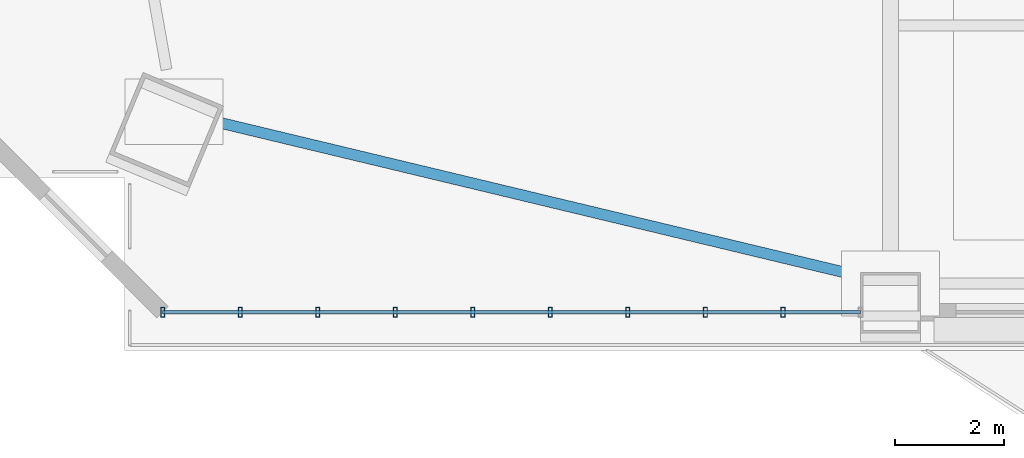
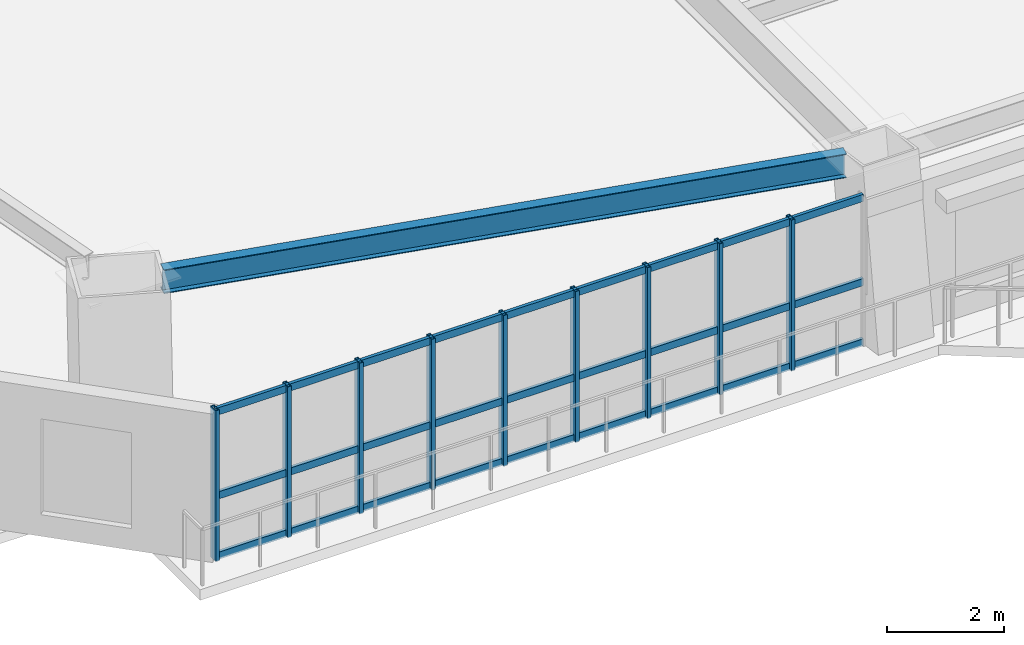
# One storey, part 2 of 17: 12 members, 1 beam, 1 element without a shape of its own.
"""IFC4 building model written with IfcOpenShell, lengths in metres."""

from ifc_helpers import new_model, si_unit, direction, frame, origin, origin_2d, place, context, subcontext, project, spatial, hollow_rectangle, i_section, extrude, source, transform, mapped, material, layer, layer_set, material_profile, profile_set, type_object, element, aggregate, save


model = new_model("IFC4")

# Units and contexts
model_context = context("Model", 3, precision=1e-05, world=origin(), true_north=direction((0.0, 1.0)))
body_context = subcontext(model_context, "Body", "Model", "MODEL_VIEW")
ifc_project = project(units=[si_unit("LENGTHUNIT", "METRE"), si_unit("AREAUNIT", "SQUARE_METRE"), si_unit("VOLUMEUNIT", "CUBIC_METRE"), si_unit("PLANEANGLEUNIT", "RADIAN"), si_unit("MASSUNIT", "GRAM", prefix="KILO")], contexts=[model_context])

# Site, building, storey
site_placement = place(None, origin())
site = spatial("IfcSite", under=ifc_project, at=site_placement, CompositionType="ELEMENT")
building_placement = place(site_placement, origin())
building = spatial("IfcBuilding", under=site, at=building_placement, Name="Giltprow Tower", CompositionType="ELEMENT")
storey_placement = place(building_placement, frame((0.0, 0.0, 44.89990234375)))
storey = spatial("IfcBuildingStorey", under=building, at=storey_placement, Name="L11", CompositionType="ELEMENT", Elevation=44.89990234375)

# Beam
ifc_material_1 = material(Name="Structural steel Q355B", Category="steel")
ifc_material_profile_1 = material_profile(ifc_material_1, i_section(OverallWidth=0.199951171875, OverallDepth=0.5, WebThickness=0.010009765625, FlangeThickness=0.01611328125, at=origin_2d()), Name="HN 500x200x10x16")
ifc_profile_set_1 = profile_set([ifc_material_profile_1], Name="Structural steel Q355B")
beam_type = type_object("IfcBeamType", Name="BM-SPAN-HN500", PredefinedType="SPANDREL", material=ifc_profile_set_1)
shared_shape_1 = source(origin(), body_context, "Body", "SweptSolid", [
    extrude(i_section(OverallWidth=0.199951171875, OverallDepth=0.5, WebThickness=0.010009765625, FlangeThickness=0.01611328125, at=origin_2d()), origin(), (0.0, 0.0, 1.0), 12.184814453125),
])
beam_placement = place(storey_placement, frame((7.48095703125, 7.319091796875, 3.3701171875), z_axis=(0.972456190307, -0.233085730866, 0.0), x_axis=(0.233085730866, 0.972456190307, 0.0)))
element("IfcBeam", 1, at=beam_placement, inside=storey, type_object=beam_type, Name="L11 Perimeter Spandrel Beam MC_SW-S1", PredefinedType="SPANDREL", context=body_context, shape_type="MappedRepresentation", body=[
    mapped(shared_shape_1, transform((0.0, 0.0, 0.0), x_axis=(1.0, 0.0, 0.0), y_axis=(0.0, 1.0, 0.0), z_axis=(0.0, 0.0, 1.0), scale=1.0)),
])

# Curtain wall, members
ifc_material_2 = material(Name="Anodized bronze", Category="metal")
ifc_layer = layer(ifc_material_2, 0.179931640625, Name="Anodized bronze")
ifc_layer_set = layer_set([ifc_layer], Name="Anodized bronze")
curtain_wall_type = type_object("IfcCurtainWallType", Name="CW-OFF-RECESSED", PredefinedType="NOTDEFINED", material=ifc_layer_set)
curtain_wall_placement = place(storey_placement, origin())
curtain_wall = element("IfcCurtainWall", 2, at=curtain_wall_placement, inside=storey, type_object=curtain_wall_type, Name="L11 South Recessed Curtain Wall 1", PredefinedType="NOTDEFINED")
ifc_material_profile_2 = material_profile(ifc_material_2, hollow_rectangle(XDim=0.06494140625, YDim=0.14990234375, WallThickness=0.006103515625, at=origin_2d()), Name="RHS 150x65x6")
ifc_profile_set_2 = profile_set([ifc_material_profile_2], Name="Anodized bronze")
member_type_1 = type_object("IfcMemberType", Name="CW-TRANSOM-150x65", PredefinedType="USERDEFINED", material=ifc_profile_set_2)
shared_shape_2 = source(origin(), body_context, "Body", "SweptSolid", [
    extrude(hollow_rectangle(XDim=0.06494140625, YDim=0.14990234375, WallThickness=0.006103515625, at=origin_2d()), origin(), (0.0, 0.0, 1.0), 12.791015625),
])
member_1_placement = place(storey_placement, frame((6.509033203125, 3.826904296875, 0.0400390625), z_axis=(1.0, 0.0, 0.0), x_axis=(0.0, 1.0, 0.0)))
member_1 = element("IfcMember", 3, at=member_1_placement, type_object=member_type_1, Name="L11 South Recessed Curtain Wall 1 Transom 1", ObjectType="TRANSOM", PredefinedType="USERDEFINED", context=body_context, shape_type="MappedRepresentation", body=[
    mapped(shared_shape_2, transform((0.0, 0.0, 0.0), x_axis=(1.0, 0.0, 0.0), y_axis=(0.0, 1.0, 0.0), z_axis=(0.0, 0.0, 1.0), scale=1.0)),
])
member_2_placement = place(storey_placement, frame((6.509033203125, 3.826904296875, 1.302001953125), z_axis=(1.0, 0.0, 0.0), x_axis=(0.0, 1.0, 0.0)))
member_2 = element("IfcMember", 4, at=member_2_placement, type_object=member_type_1, Name="L11 South Recessed Curtain Wall 1 Transom 2", ObjectType="TRANSOM", PredefinedType="USERDEFINED", context=body_context, shape_type="MappedRepresentation", body=[
    mapped(shared_shape_2, transform((0.0, 0.0, 0.0), x_axis=(1.0, 0.0, 0.0), y_axis=(0.0, 1.0, 0.0), z_axis=(0.0, 0.0, 1.0), scale=1.0)),
])
member_3_placement = place(storey_placement, frame((6.509033203125, 3.826904296875, 3.06005859375), z_axis=(1.0, 0.0, 0.0), x_axis=(0.0, 1.0, 0.0)))
member_3 = element("IfcMember", 5, at=member_3_placement, type_object=member_type_1, Name="L11 South Recessed Curtain Wall 1 Transom 3", ObjectType="TRANSOM", PredefinedType="USERDEFINED", context=body_context, shape_type="MappedRepresentation", body=[
    mapped(shared_shape_2, transform((0.0, 0.0, 0.0), x_axis=(1.0, 0.0, 0.0), y_axis=(0.0, 1.0, 0.0), z_axis=(0.0, 0.0, 1.0), scale=1.0)),
])
ifc_material_profile_3 = material_profile(ifc_material_2, hollow_rectangle(XDim=0.074951171875, YDim=0.179931640625, WallThickness=0.008056640625, at=origin_2d()), Name="RHS 180x75x8")
ifc_profile_set_3 = profile_set([ifc_material_profile_3], Name="Anodized bronze")
member_type_2 = type_object("IfcMemberType", Name="CW-MULLION-180x75", PredefinedType="MULLION", material=ifc_profile_set_3)
shared_shape_3 = source(origin(), body_context, "Body", "SweptSolid", [
    extrude(hollow_rectangle(XDim=0.074951171875, YDim=0.179931640625, WallThickness=0.008056640625, at=origin_2d()), origin(), (0.0, 0.0, 1.0), 3.155029296875),
])
member_4_placement = place(storey_placement, frame((6.509033203125, 3.826904296875, -0.02001953125), z_axis=(0.0, 0.0, 1.0), x_axis=(1.0, 0.0, 0.0)))
member_4 = element("IfcMember", 6, at=member_4_placement, type_object=member_type_2, Name="L11 South Recessed Curtain Wall 1 Mullion 1", PredefinedType="MULLION", context=body_context, shape_type="MappedRepresentation", body=[
    mapped(shared_shape_3, transform((0.0, 0.0, 0.0), x_axis=(1.0, 0.0, 0.0), y_axis=(0.0, 1.0, 0.0), z_axis=(0.0, 0.0, 1.0), scale=1.0)),
])
member_5_placement = place(storey_placement, frame((7.929931640625, 3.826904296875, -0.02001953125), z_axis=(0.0, 0.0, 1.0), x_axis=(1.0, 0.0, 0.0)))
member_5 = element("IfcMember", 7, at=member_5_placement, type_object=member_type_2, Name="L11 South Recessed Curtain Wall 1 Mullion 2", PredefinedType="MULLION", context=body_context, shape_type="MappedRepresentation", body=[
    mapped(shared_shape_3, transform((0.0, 0.0, 0.0), x_axis=(1.0, 0.0, 0.0), y_axis=(0.0, 1.0, 0.0), z_axis=(0.0, 0.0, 1.0), scale=1.0)),
])
member_6_placement = place(storey_placement, frame((9.35107421875, 3.826904296875, -0.02001953125), z_axis=(0.0, 0.0, 1.0), x_axis=(1.0, 0.0, 0.0)))
member_6 = element("IfcMember", 8, at=member_6_placement, type_object=member_type_2, Name="L11 South Recessed Curtain Wall 1 Mullion 3", PredefinedType="MULLION", context=body_context, shape_type="MappedRepresentation", body=[
    mapped(shared_shape_3, transform((0.0, 0.0, 0.0), x_axis=(1.0, 0.0, 0.0), y_axis=(0.0, 1.0, 0.0), z_axis=(0.0, 0.0, 1.0), scale=1.0)),
])
member_7_placement = place(storey_placement, frame((10.77294921875, 3.826904296875, -0.02001953125), z_axis=(0.0, 0.0, 1.0), x_axis=(1.0, 0.0, 0.0)))
member_7 = element("IfcMember", 9, at=member_7_placement, type_object=member_type_2, Name="L11 South Recessed Curtain Wall 1 Mullion 4", PredefinedType="MULLION", context=body_context, shape_type="MappedRepresentation", body=[
    mapped(shared_shape_3, transform((0.0, 0.0, 0.0), x_axis=(1.0, 0.0, 0.0), y_axis=(0.0, 1.0, 0.0), z_axis=(0.0, 0.0, 1.0), scale=1.0)),
])
member_8_placement = place(storey_placement, frame((12.194091796875, 3.826904296875, -0.02001953125), z_axis=(0.0, 0.0, 1.0), x_axis=(1.0, 0.0, 0.0)))
member_8 = element("IfcMember", 10, at=member_8_placement, type_object=member_type_2, Name="L11 South Recessed Curtain Wall 1 Mullion 5", PredefinedType="MULLION", context=body_context, shape_type="MappedRepresentation", body=[
    mapped(shared_shape_3, transform((0.0, 0.0, 0.0), x_axis=(1.0, 0.0, 0.0), y_axis=(0.0, 1.0, 0.0), z_axis=(0.0, 0.0, 1.0), scale=1.0)),
])
member_9_placement = place(storey_placement, frame((13.614990234375, 3.826904296875, -0.02001953125), z_axis=(0.0, 0.0, 1.0), x_axis=(1.0, 0.0, 0.0)))
member_9 = element("IfcMember", 11, at=member_9_placement, type_object=member_type_2, Name="L11 South Recessed Curtain Wall 1 Mullion 6", PredefinedType="MULLION", context=body_context, shape_type="MappedRepresentation", body=[
    mapped(shared_shape_3, transform((0.0, 0.0, 0.0), x_axis=(1.0, 0.0, 0.0), y_axis=(0.0, 1.0, 0.0), z_axis=(0.0, 0.0, 1.0), scale=1.0)),
])
member_10_placement = place(storey_placement, frame((15.035888671875, 3.826904296875, -0.02001953125), z_axis=(0.0, 0.0, 1.0), x_axis=(1.0, 0.0, 0.0)))
member_10 = element("IfcMember", 12, at=member_10_placement, type_object=member_type_2, Name="L11 South Recessed Curtain Wall 1 Mullion 7", PredefinedType="MULLION", context=body_context, shape_type="MappedRepresentation", body=[
    mapped(shared_shape_3, transform((0.0, 0.0, 0.0), x_axis=(1.0, 0.0, 0.0), y_axis=(0.0, 1.0, 0.0), z_axis=(0.0, 0.0, 1.0), scale=1.0)),
])
member_11_placement = place(storey_placement, frame((16.4580078125, 3.826904296875, -0.02001953125), z_axis=(0.0, 0.0, 1.0), x_axis=(1.0, 0.0, 0.0)))
member_11 = element("IfcMember", 13, at=member_11_placement, type_object=member_type_2, Name="L11 South Recessed Curtain Wall 1 Mullion 8", PredefinedType="MULLION", context=body_context, shape_type="MappedRepresentation", body=[
    mapped(shared_shape_3, transform((0.0, 0.0, 0.0), x_axis=(1.0, 0.0, 0.0), y_axis=(0.0, 1.0, 0.0), z_axis=(0.0, 0.0, 1.0), scale=1.0)),
])
member_12_placement = place(storey_placement, frame((17.87890625, 3.826904296875, -0.02001953125), z_axis=(0.0, 0.0, 1.0), x_axis=(1.0, 0.0, 0.0)))
member_12 = element("IfcMember", 14, at=member_12_placement, type_object=member_type_2, Name="L11 South Recessed Curtain Wall 1 Mullion 9", PredefinedType="MULLION", context=body_context, shape_type="MappedRepresentation", body=[
    mapped(shared_shape_3, transform((0.0, 0.0, 0.0), x_axis=(1.0, 0.0, 0.0), y_axis=(0.0, 1.0, 0.0), z_axis=(0.0, 0.0, 1.0), scale=1.0)),
])
aggregate(curtain_wall, [member_4, member_5, member_6, member_7, member_8, member_9, member_10, member_11, member_12, member_1, member_2, member_3])

save(model, "model.ifc")
